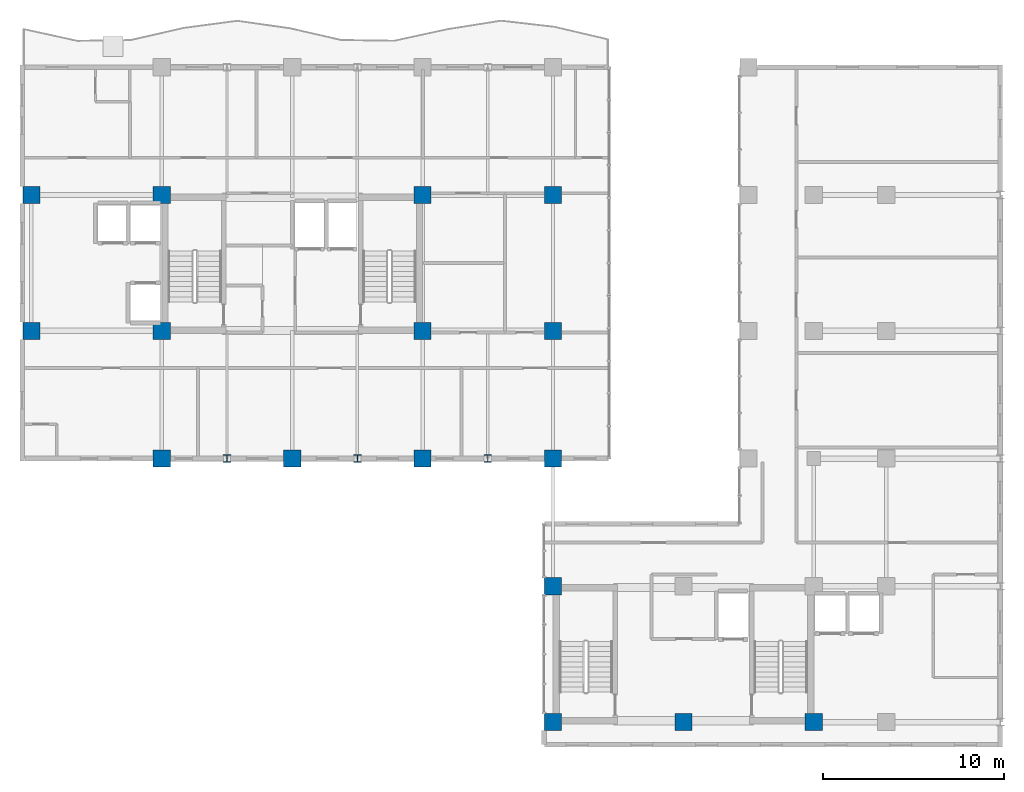
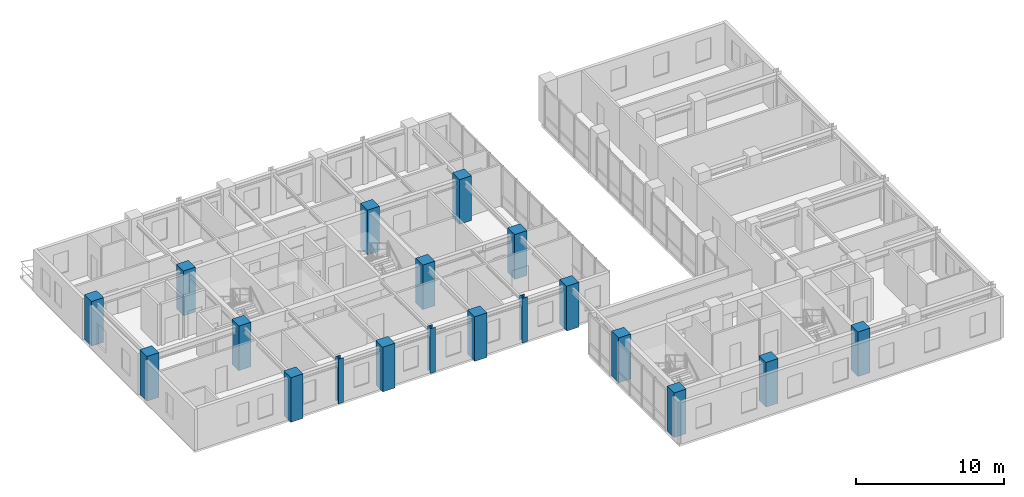
# One storey, part 1 of 24: 19 columns.
"""IFC4 building model written with IfcOpenShell, lengths in metres."""

from ifc_helpers import new_model, si_unit, direction, frame, origin, origin_2d, place, context, subcontext, project, spatial, rectangle, i_section, extrude, source, transform, mapped, material, material_profile, profile_set, type_object, element, save


model = new_model("IFC4")

# Units and contexts
model_context = context("Model", 3, precision=1e-05, world=origin(), true_north=direction((0.0, 1.0)))
body_context = subcontext(model_context, "Body", "Model", "MODEL_VIEW")
ifc_project = project(units=[si_unit("LENGTHUNIT", "METRE"), si_unit("AREAUNIT", "SQUARE_METRE"), si_unit("VOLUMEUNIT", "CUBIC_METRE"), si_unit("PLANEANGLEUNIT", "RADIAN"), si_unit("MASSUNIT", "GRAM", prefix="KILO")], contexts=[model_context])

# Site, building, storey
site_placement = place(None, origin())
site = spatial("IfcSite", under=ifc_project, at=site_placement, CompositionType="ELEMENT")
building_placement = place(site_placement, origin())
building = spatial("IfcBuilding", under=site, at=building_placement, Name="Kaliganga Portal Commons", CompositionType="ELEMENT")
storey_placement = place(building_placement, frame((0.0, 0.0, 238.800048828125)))
storey = spatial("IfcBuildingStorey", under=building, at=storey_placement, Name="L61", CompositionType="ELEMENT", Elevation=238.800048828125)

# Columns
ifc_material_1 = material(Name="Concrete C50/60", Category="concrete")
ifc_material_profile_1 = material_profile(ifc_material_1, rectangle(XDim=0.949951171875, YDim=0.949951171875, at=origin_2d()), Name="RC 950x950")
ifc_profile_set_1 = profile_set([ifc_material_profile_1], Name="Concrete C50/60")
column_type_1 = type_object("IfcColumnType", Name="COL-MEGA-Z4", PredefinedType="COLUMN", material=ifc_profile_set_1)
shared_shape_1 = source(origin(), body_context, "Body", "SweptSolid", [
    extrude(rectangle(XDim=0.949951171875, YDim=0.949951171875, at=origin_2d()), origin(), (0.0, 0.0, 1.0), 3.699951171875),
])
for number, where, z_axis, x_axis, name in (
    (1, (7.199951171875, 28.64990234375, 0.0), (0.0, 0.0, 1.0), (1.0, 0.0, 0.0), "Column MC-05 L61"),
    (2, (7.199951171875, 36.14990234375, 0.0), (0.0, 0.0, 1.0), (1.0, 0.0, 0.0), "Column MC-05 L61"),
    (3, (14.39990234375, 21.60009765625, 0.0), (0.0, 0.0, 1.0), (1.0, 0.0, 0.0), "Column MC-05 L61"),
    (4, (14.39990234375, 28.64990234375, 0.0), (0.0, 0.0, 1.0), (1.0, 0.0, 0.0), "Column MC-05 L61"),
    (5, (14.39990234375, 36.14990234375, 0.0), (0.0, 0.0, 1.0), (1.0, 0.0, 0.0), "Column MC-05 L61"),
    (6, (21.60009765625, 21.60009765625, 0.0), (0.0, 0.0, 1.0), (1.0, 0.0, 0.0), "Column MC-05 L61"),
    (7, (28.800048828125, 21.60009765625, 0.0), (0.0, 0.0, 1.0), (1.0, 0.0, 0.0), "Column MC-05 L61"),
    (8, (28.800048828125, 28.64990234375, 0.0), (0.0, 0.0, 1.0), (1.0, 0.0, 0.0), "Column MC-05 L61"),
    (9, (28.800048828125, 36.14990234375, 0.0), (0.0, 0.0, 1.0), (1.0, 0.0, 0.0), "Column MC-05 L61"),
    (10, (36.0, 21.60009765625, 0.0), (0.0, 0.0, 1.0), (1.0, 0.0, 0.0), "Column MC-05 L61"),
    (11, (36.0, 28.64990234375, 0.0), (0.0, 0.0, 1.0), (1.0, 0.0, 0.0), "Column MC-05 L61"),
    (12, (36.0, 36.14990234375, 0.0), (0.0, 0.0, 1.0), (1.0, 0.0, 0.0), "Column MC-05 L61"),
    (13, (36.0, 7.050048828125, 0.0), (0.0, 0.0, 1.0), (1.0, 0.0, 0.0), "Column MC-05 L61"),
    (14, (36.0, 14.550048828125, 0.0), (0.0, 0.0, 1.0), (1.0, 0.0, 0.0), "Column MC-05 L61"),
    (15, (43.199951171875, 7.050048828125, 0.0), (0.0, 0.0, 1.0), (1.0, 0.0, 0.0), "Column MC-05 L61"),
    (16, (50.39990234375, 7.050048828125, 0.0), (0.0, 0.0, 1.0), (1.0, 0.0, 0.0), "Column MC-05 L61"),
):
    element("IfcColumn", number, at=place(storey_placement, frame(where, z_axis=z_axis, x_axis=x_axis)), inside=storey, type_object=column_type_1, Name=name, PredefinedType="COLUMN", context=body_context, shape_type="MappedRepresentation", body=[
        mapped(shared_shape_1, transform((0.0, 0.0, 0.0), x_axis=(1.0, 0.0, 0.0), y_axis=(0.0, 1.0, 0.0), z_axis=(0.0, 0.0, 1.0), scale=1.0)),
    ])
ifc_material_2 = material(Name="Structural steel S355J2", Category="steel")
ifc_material_profile_2 = material_profile(ifc_material_2, i_section(OverallWidth=0.39892578125, OverallDepth=0.39990234375, WebThickness=0.017333984375, FlangeThickness=0.0234375, FilletRadius=0.014892578125, at=origin_2d()), Name="HD 400x287")
ifc_profile_set_2 = profile_set([ifc_material_profile_2], Name="Structural steel S355J2 wide-flange")
column_type_2 = type_object("IfcColumnType", Name="COL-TUBE-B4", PredefinedType="COLUMN", material=ifc_profile_set_2)
shared_shape_2 = source(origin(), body_context, "Body", "SweptSolid", [
    extrude(i_section(OverallWidth=0.39892578125, OverallDepth=0.39990234375, WebThickness=0.017333984375, FlangeThickness=0.0234375, FilletRadius=0.014892578125, at=origin_2d()), origin(), (0.0, 0.0, 1.0), 3.699951171875),
])
for number, where, z_axis, x_axis, name in (
    (17, (18.0, 21.60009765625, 0.0), (0.0, 0.0, 1.0), (1.0, 0.0, 0.0), "Column TC-04 L61"),
    (18, (25.199951171875, 21.60009765625, 0.0), (0.0, 0.0, 1.0), (1.0, 0.0, 0.0), "Column TC-04 L61"),
    (19, (32.39990234375, 21.60009765625, 0.0), (0.0, 0.0, 1.0), (1.0, 0.0, 0.0), "Column TC-04 L61"),
):
    element("IfcColumn", number, at=place(storey_placement, frame(where, z_axis=z_axis, x_axis=x_axis)), inside=storey, type_object=column_type_2, Name=name, PredefinedType="COLUMN", context=body_context, shape_type="MappedRepresentation", body=[
        mapped(shared_shape_2, transform((0.0, 0.0, 0.0), x_axis=(1.0, 0.0, 0.0), y_axis=(0.0, 1.0, 0.0), z_axis=(0.0, 0.0, 1.0), scale=1.0)),
    ])

save(model, "model.ifc")
